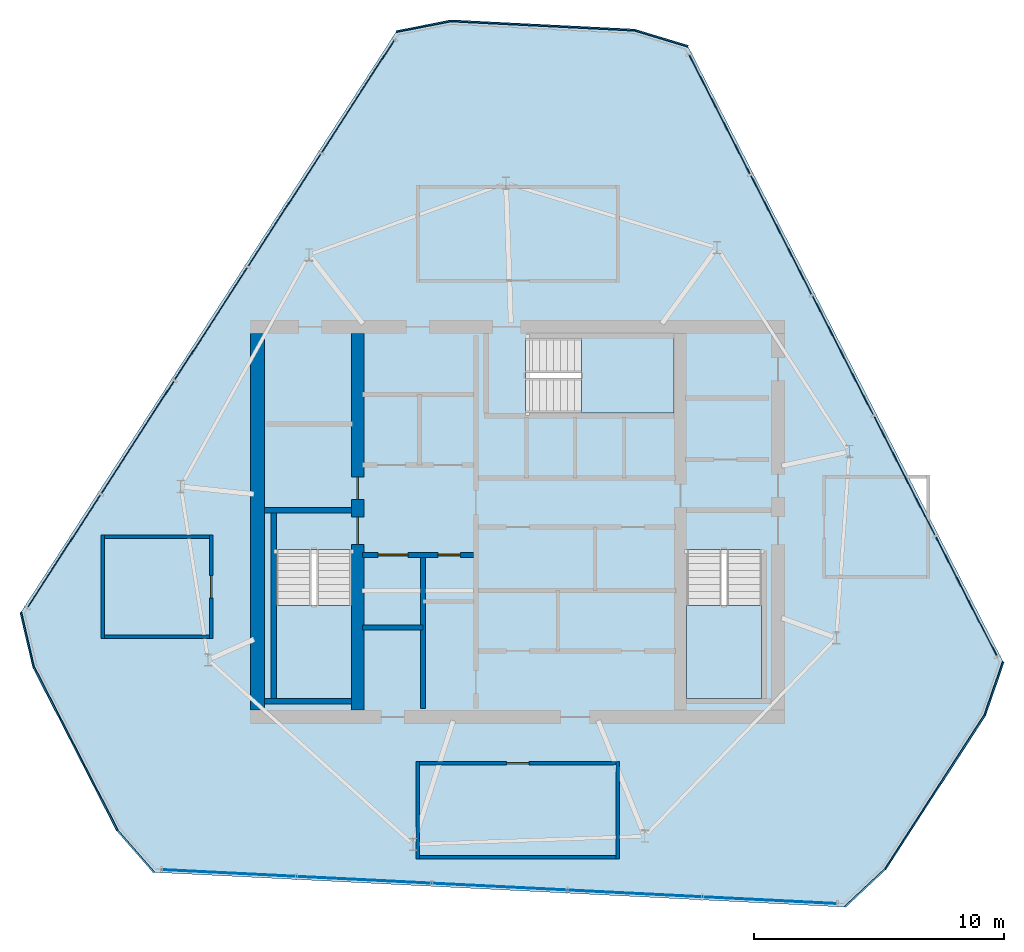
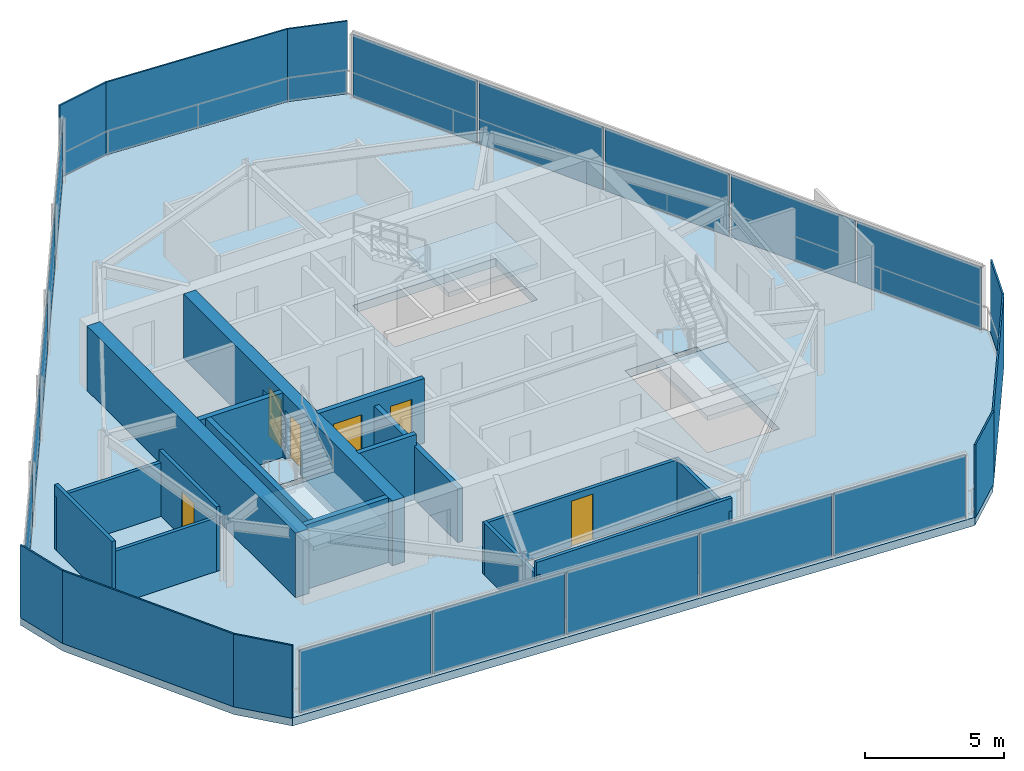
# One storey, part 13 of 16: 24 plates, 16 walls, 6 doors, 4 slabs, 6 openings, 6 elements without a shape of their own.
"""IFC4 building model written with IfcOpenShell, lengths in metres."""

from ifc_helpers import new_model, si_unit, direction, frame, frame_2d, origin, origin_2d, place, context, subcontext, project, spatial, polyline, rectangle, outline, extrude, material, layer, layer_set, type_object, element, fill, aggregate, save


model = new_model("IFC4")

# Units and contexts
model_context = context("Model", 3, precision=1e-05, world=origin(), true_north=direction((0.0, 1.0)))
body_context = subcontext(model_context, "Body", "Model", "MODEL_VIEW")
ifc_project = project(units=[si_unit("LENGTHUNIT", "METRE"), si_unit("AREAUNIT", "SQUARE_METRE"), si_unit("VOLUMEUNIT", "CUBIC_METRE"), si_unit("PLANEANGLEUNIT", "RADIAN"), si_unit("MASSUNIT", "GRAM", prefix="KILO")], contexts=[model_context])

# Site, building, storey
site_placement = place(None, origin())
site = spatial("IfcSite", under=ifc_project, at=site_placement, CompositionType="ELEMENT")
building_placement = place(site_placement, origin())
building = spatial("IfcBuilding", under=site, at=building_placement, Name="Qarnah Convention Tower", CompositionType="ELEMENT")
storey_placement = place(building_placement, frame((0.0, 0.0, 283.5)))
storey = spatial("IfcBuildingStorey", under=building, at=storey_placement, Name="L76", CompositionType="ELEMENT", Elevation=283.5)

# Curtain wall, plates
ifc_material_1 = material(Name="Tempered Low-E dark glass", Category="glass")
ifc_layer_1 = layer(ifc_material_1, 0.177978515625)
ifc_layer_set_1 = layer_set([ifc_layer_1], Name="Tempered Low-E dark glass")
curtain_wall_type = type_object("IfcCurtainWallType", Name="CWS-06", PredefinedType="NOTDEFINED", material=ifc_layer_set_1)
curtain_wall_1_placement = place(storey_placement, origin())
curtain_wall_1 = element("IfcCurtainWall", 1, at=curtain_wall_1_placement, inside=storey, type_object=curtain_wall_type, Name="L76 unitised curtain wall CW-L76-F1", PredefinedType="NOTDEFINED")
ifc_layer_2 = layer(ifc_material_1, 0.0380859375)
ifc_layer_set_2 = layer_set([ifc_layer_2], Name="Tempered Low-E dark glass")
plate_type_1 = type_object("IfcPlateType", Name="PNL-T6", PredefinedType="CURTAIN_PANEL", material=ifc_layer_set_2)
plate_1_placement = place(storey_placement, frame((45.26220703125, 42.685302734375, 0.0400390625), z_axis=(0.0, 0.0, 1.0), x_axis=(0.455858014655, -0.890052509954, 0.0)))
plate_1 = element("IfcPlate", 2, at=plate_1_placement, type_object=plate_type_1, Name="CW-L76-F1 curtain panel 1.1", PredefinedType="CURTAIN_PANEL", context=body_context, shape_type="SweptSolid", body=[
    extrude(rectangle(XDim=5.330078125, YDim=0.0380859375, at=origin_2d()), origin(), (0.0, 0.0, 1.0), 2.760009765625),
])
plate_2_placement = place(storey_placement, frame((47.728271484375, 37.8701171875, 0.0400390625), z_axis=(0.0, 0.0, 1.0), x_axis=(0.455858014655, -0.890052509954, 0.0)))
plate_2 = element("IfcPlate", 3, at=plate_2_placement, type_object=plate_type_1, Name="CW-L76-F1 curtain panel 2.1", PredefinedType="CURTAIN_PANEL", context=body_context, shape_type="SweptSolid", body=[
    extrude(rectangle(XDim=5.330078125, YDim=0.0380859375, at=origin_2d()), origin(), (0.0, 0.0, 1.0), 2.760009765625),
])
plate_3_placement = place(storey_placement, frame((50.194580078125, 33.054931640625, 0.0400390625), z_axis=(0.0, 0.0, 1.0), x_axis=(0.455858014655, -0.890052509954, 0.0)))
plate_3 = element("IfcPlate", 4, at=plate_3_placement, type_object=plate_type_1, Name="CW-L76-F1 curtain panel 3.1", PredefinedType="CURTAIN_PANEL", context=body_context, shape_type="SweptSolid", body=[
    extrude(rectangle(XDim=5.330078125, YDim=0.0380859375, at=origin_2d()), origin(), (0.0, 0.0, 1.0), 2.760009765625),
])
plate_4_placement = place(storey_placement, frame((52.66064453125, 28.23974609375, 0.0400390625), z_axis=(0.0, 0.0, 1.0), x_axis=(0.455858014655, -0.890052509954, 0.0)))
plate_4 = element("IfcPlate", 5, at=plate_4_placement, type_object=plate_type_1, Name="CW-L76-F1 curtain panel 4.1", PredefinedType="CURTAIN_PANEL", context=body_context, shape_type="SweptSolid", body=[
    extrude(rectangle(XDim=5.330078125, YDim=0.0380859375, at=origin_2d()), origin(), (0.0, 0.0, 1.0), 2.760009765625),
])
plate_5_placement = place(storey_placement, frame((55.126953125, 23.424560546875, 0.0400390625), z_axis=(0.0, 0.0, 1.0), x_axis=(0.455858014655, -0.890052509954, 0.0)))
plate_5 = element("IfcPlate", 6, at=plate_5_placement, type_object=plate_type_1, Name="CW-L76-F1 curtain panel 5.1", PredefinedType="CURTAIN_PANEL", context=body_context, shape_type="SweptSolid", body=[
    extrude(rectangle(XDim=5.330078125, YDim=0.0380859375, at=origin_2d()), origin(), (0.0, 0.0, 1.0), 2.760009765625),
])
aggregate(curtain_wall_1, [plate_1, plate_2, plate_3, plate_4, plate_5])

curtain_wall_2_placement = place(storey_placement, origin())
curtain_wall_2 = element("IfcCurtainWall", 7, at=curtain_wall_2_placement, inside=storey, type_object=curtain_wall_type, Name="L76 unitised curtain wall CW-L76-F2", PredefinedType="NOTDEFINED")
plate_6_placement = place(storey_placement, frame((47.2724609375, 11.27490234375, 0.0400390625), z_axis=(0.0, 0.0, 1.0), x_axis=(-0.99873708025, 0.050241860374, 0.0)))
plate_6 = element("IfcPlate", 8, at=plate_6_placement, type_object=plate_type_1, Name="CW-L76-F2 curtain panel 1.1", PredefinedType="CURTAIN_PANEL", context=body_context, shape_type="SweptSolid", body=[
    extrude(rectangle(XDim=5.329833984375, YDim=0.0380859375, at=origin_2d()), origin(), (0.0, 0.0, 1.0), 2.760009765625),
])
plate_7_placement = place(storey_placement, frame((41.869384765625, 11.546630859375, 0.0400390625), z_axis=(0.0, 0.0, 1.0), x_axis=(-0.99873708025, 0.050241860374, 0.0)))
plate_7 = element("IfcPlate", 9, at=plate_7_placement, type_object=plate_type_1, Name="CW-L76-F2 curtain panel 2.1", PredefinedType="CURTAIN_PANEL", context=body_context, shape_type="SweptSolid", body=[
    extrude(rectangle(XDim=5.329833984375, YDim=0.0380859375, at=origin_2d()), origin(), (0.0, 0.0, 1.0), 2.760009765625),
])
plate_8_placement = place(storey_placement, frame((36.466552734375, 11.818603515625, 0.0400390625), z_axis=(0.0, 0.0, 1.0), x_axis=(-0.99873708025, 0.050241860374, 0.0)))
plate_8 = element("IfcPlate", 10, at=plate_8_placement, type_object=plate_type_1, Name="CW-L76-F2 curtain panel 3.1", PredefinedType="CURTAIN_PANEL", context=body_context, shape_type="SweptSolid", body=[
    extrude(rectangle(XDim=5.329833984375, YDim=0.0380859375, at=origin_2d()), origin(), (0.0, 0.0, 1.0), 2.760009765625),
])
plate_9_placement = place(storey_placement, frame((31.0634765625, 12.09033203125, 0.0400390625), z_axis=(0.0, 0.0, 1.0), x_axis=(-0.99873708025, 0.050241860374, 0.0)))
plate_9 = element("IfcPlate", 11, at=plate_9_placement, type_object=plate_type_1, Name="CW-L76-F2 curtain panel 4.1", PredefinedType="CURTAIN_PANEL", context=body_context, shape_type="SweptSolid", body=[
    extrude(rectangle(XDim=5.329833984375, YDim=0.0380859375, at=origin_2d()), origin(), (0.0, 0.0, 1.0), 2.760009765625),
])
plate_10_placement = place(storey_placement, frame((25.660400390625, 12.362060546875, 0.0400390625), z_axis=(0.0, 0.0, 1.0), x_axis=(-0.99873708025, 0.050241860374, 0.0)))
plate_10 = element("IfcPlate", 12, at=plate_10_placement, type_object=plate_type_1, Name="CW-L76-F2 curtain panel 5.1", PredefinedType="CURTAIN_PANEL", context=body_context, shape_type="SweptSolid", body=[
    extrude(rectangle(XDim=5.329833984375, YDim=0.0380859375, at=origin_2d()), origin(), (0.0, 0.0, 1.0), 2.760009765625),
])
aggregate(curtain_wall_2, [plate_6, plate_7, plate_8, plate_9, plate_10])

curtain_wall_3_placement = place(storey_placement, origin())
curtain_wall_3 = element("IfcCurtainWall", 13, at=curtain_wall_3_placement, inside=storey, type_object=curtain_wall_type, Name="L76 unitised curtain wall CW-L76-F3", PredefinedType="NOTDEFINED")
plate_11_placement = place(storey_placement, frame((19.0654296875, 25.239501953125, 0.0400390625), z_axis=(0.0, 0.0, 1.0), x_axis=(0.542871059337, 0.839816058988, 0.0)))
plate_11 = element("IfcPlate", 14, at=plate_11_placement, type_object=plate_type_1, Name="CW-L76-F3 curtain panel 1.1", PredefinedType="CURTAIN_PANEL", context=body_context, shape_type="SweptSolid", body=[
    extrude(rectangle(XDim=5.329833984375, YDim=0.0380859375, at=origin_2d()), origin(), (0.0, 0.0, 1.0), 2.760009765625),
])
plate_12_placement = place(storey_placement, frame((22.002197265625, 29.78271484375, 0.0400390625), z_axis=(0.0, 0.0, 1.0), x_axis=(0.542871059337, 0.839816058988, 0.0)))
plate_12 = element("IfcPlate", 15, at=plate_12_placement, type_object=plate_type_1, Name="CW-L76-F3 curtain panel 2.1", PredefinedType="CURTAIN_PANEL", context=body_context, shape_type="SweptSolid", body=[
    extrude(rectangle(XDim=5.329833984375, YDim=0.0380859375, at=origin_2d()), origin(), (0.0, 0.0, 1.0), 2.760009765625),
])
plate_13_placement = place(storey_placement, frame((24.93896484375, 34.325927734375, 0.0400390625), z_axis=(0.0, 0.0, 1.0), x_axis=(0.542871059337, 0.839816058988, 0.0)))
plate_13 = element("IfcPlate", 16, at=plate_13_placement, type_object=plate_type_1, Name="CW-L76-F3 curtain panel 3.1", PredefinedType="CURTAIN_PANEL", context=body_context, shape_type="SweptSolid", body=[
    extrude(rectangle(XDim=5.329833984375, YDim=0.0380859375, at=origin_2d()), origin(), (0.0, 0.0, 1.0), 2.760009765625),
])
plate_14_placement = place(storey_placement, frame((27.875732421875, 38.869140625, 0.0400390625), z_axis=(0.0, 0.0, 1.0), x_axis=(0.542871059337, 0.839816058988, 0.0)))
plate_14 = element("IfcPlate", 17, at=plate_14_placement, type_object=plate_type_1, Name="CW-L76-F3 curtain panel 4.1", PredefinedType="CURTAIN_PANEL", context=body_context, shape_type="SweptSolid", body=[
    extrude(rectangle(XDim=5.329833984375, YDim=0.0380859375, at=origin_2d()), origin(), (0.0, 0.0, 1.0), 2.760009765625),
])
plate_15_placement = place(storey_placement, frame((30.8125, 43.412353515625, 0.0400390625), z_axis=(0.0, 0.0, 1.0), x_axis=(0.542871059337, 0.839816058988, 0.0)))
plate_15 = element("IfcPlate", 18, at=plate_15_placement, type_object=plate_type_1, Name="CW-L76-F3 curtain panel 5.1", PredefinedType="CURTAIN_PANEL", context=body_context, shape_type="SweptSolid", body=[
    extrude(rectangle(XDim=5.329833984375, YDim=0.0380859375, at=origin_2d()), origin(), (0.0, 0.0, 1.0), 2.760009765625),
])
aggregate(curtain_wall_3, [plate_11, plate_12, plate_13, plate_14, plate_15])

# Plates
ifc_material_2 = material(Name="Black anodised aluminium", Category="aluminium")
ifc_layer_3 = layer(ifc_material_2, 0.06494140625)
ifc_layer_set_3 = layer_set([ifc_layer_3], Name="Black anodised aluminium")
plate_type_2 = type_object("IfcPlateType", Name="SCR-CRN-30", PredefinedType="USERDEFINED", material=ifc_layer_set_3)
plate_16_placement = place(storey_placement, frame((38.197998046875, 46.24609375, 0.0), z_axis=(0.0, 0.0, 1.0), x_axis=(0.998737044297, -0.050242575055, 0.0)))
element("IfcPlate", 19, at=plate_16_placement, inside=storey, type_object=plate_type_2, Name="L76 crown acoustic louver screen 1", ObjectType="SCREEN", PredefinedType="USERDEFINED", context=body_context, shape_type="SweptSolid", body=[
    extrude(rectangle(XDim=7.343994140625, YDim=0.06494140625, at=origin_2d()), origin(), (0.0, 0.0, 1.0), 3.199951171875),
])
for number, where, z_axis, x_axis, name in (
    (20, (42.93310546875, 45.738037109375, 0.0), (0.0, 0.0, 1.0), (0.956944895395, -0.290269645635, 0.0), "L76 crown acoustic louver screen 2"),
    (21, (56.242919921875, 19.7509765625, 0.0), (0.0, 0.0, 1.0), (-0.32388769589, -0.946095534526, 0.0), "L76 crown acoustic louver screen 4"),
):
    element("IfcPlate", number, at=place(storey_placement, frame(where, z_axis=z_axis, x_axis=x_axis)), inside=storey, type_object=plate_type_2, Name=name, ObjectType="SCREEN", PredefinedType="USERDEFINED", context=body_context, shape_type="SweptSolid", body=[
        extrude(rectangle(XDim=2.22900390625, YDim=0.06494140625, at=origin_2d()), origin(), (0.0, 0.0, 1.0), 3.199951171875),
    ])
plate_17_placement = place(storey_placement, frame((53.887939453125, 15.612060546875, 0.0), z_axis=(0.0, 0.0, 1.0), x_axis=(-0.542862279432, -0.8398217344, 0.0)))
element("IfcPlate", 22, at=plate_17_placement, inside=storey, type_object=plate_type_2, Name="L76 crown acoustic louver screen 5", ObjectType="SCREEN", PredefinedType="USERDEFINED", context=body_context, shape_type="SweptSolid", body=[
    extrude(rectangle(XDim=7.343994140625, YDim=0.06494140625, at=origin_2d()), origin(), (0.0, 0.0, 1.0), 3.199951171875),
])
plate_18_placement = place(storey_placement, frame((51.08203125, 11.76611328125, 0.0), z_axis=(0.0, 0.0, 1.0), x_axis=(-0.729830665204, -0.683627969094, 0.0)))
element("IfcPlate", 23, at=plate_18_placement, inside=storey, type_object=plate_type_2, Name="L76 crown acoustic louver screen 6", ObjectType="SCREEN", PredefinedType="USERDEFINED", context=body_context, shape_type="SweptSolid", body=[
    extrude(rectangle(XDim=2.22900390625, YDim=0.06494140625, at=origin_2d()), origin(), (0.0, 0.0, 1.0), 3.199951171875),
])
plate_19_placement = place(storey_placement, frame((21.919921875, 13.23291015625, 0.0), z_axis=(0.0, 0.0, 1.0), x_axis=(-0.657488346984, 0.753464712896, 0.0)))
element("IfcPlate", 24, at=plate_19_placement, inside=storey, type_object=plate_type_2, Name="L76 crown acoustic louver screen 8", ObjectType="SCREEN", PredefinedType="USERDEFINED", context=body_context, shape_type="SweptSolid", body=[
    extrude(rectangle(XDim=2.22998046875, YDim=0.06494140625, at=origin_2d()), origin(), (0.0, 0.0, 1.0), 3.199951171875),
])
plate_20_placement = place(storey_placement, frame((19.512939453125, 17.342041015625, 0.0), z_axis=(0.0, 0.0, 1.0), x_axis=(-0.455852515487, 0.89005532644, 0.0)))
element("IfcPlate", 25, at=plate_20_placement, inside=storey, type_object=plate_type_2, Name="L76 crown acoustic louver screen 9", ObjectType="SCREEN", PredefinedType="USERDEFINED", context=body_context, shape_type="SweptSolid", body=[
    extrude(rectangle(XDim=7.343994140625, YDim=0.06494140625, at=origin_2d()), origin(), (0.0, 0.0, 1.0), 3.199951171875),
])
plate_21_placement = place(storey_placement, frame((17.5859375, 21.696044921875, 0.0), z_axis=(0.0, 0.0, 1.0), x_axis=(-0.226987875828, 0.973897584054, 0.0)))
element("IfcPlate", 26, at=plate_21_placement, inside=storey, type_object=plate_type_2, Name="L76 crown acoustic louver screen 10", ObjectType="SCREEN", PredefinedType="USERDEFINED", context=body_context, shape_type="SweptSolid", body=[
    extrude(rectangle(XDim=2.22900390625, YDim=0.06494140625, at=origin_2d()), origin(), (0.0, 0.0, 1.0), 3.199951171875),
])
plate_22_placement = place(storey_placement, frame((33.43701171875, 46.216064453125, 0.0), z_axis=(0.0, 0.0, 1.0), x_axis=(0.981230786776, 0.192837089491, 0.0)))
element("IfcPlate", 27, at=plate_22_placement, inside=storey, type_object=plate_type_2, Name="L76 crown acoustic louver screen 12", ObjectType="SCREEN", PredefinedType="USERDEFINED", context=body_context, shape_type="SweptSolid", body=[
    extrude(rectangle(XDim=2.22998046875, YDim=0.06494140625, at=origin_2d()), origin(), (0.0, 0.0, 1.0), 3.199951171875),
])

# Stair, slab
ifc_material_3 = material(Name="Concrete C50/60", Category="concrete")
stair_type = type_object("IfcStairType", Name="STR-CRN", PredefinedType="HALF_TURN_STAIR", material=ifc_material_3)
stair_1_placement = place(storey_placement, origin())
stair_1 = element("IfcStair", 28, at=stair_1_placement, inside=storey, type_object=stair_type, Name="L76 Core exit stair ST-1", PredefinedType="HALF_TURN_STAIR")
ifc_layer_4 = layer(ifc_material_3, 0.199951171875)
ifc_layer_set_4 = layer_set([ifc_layer_4], Name="Concrete C50/60")
slab_type_1 = type_object("IfcSlabType", Name="SLB-LANDING-200", PredefinedType="LANDING", material=ifc_layer_set_4)
slab_1_placement = place(storey_placement, frame((0.0, 0.0, 1.39990234375)))
slab_1 = element("IfcSlab", 29, at=slab_1_placement, type_object=slab_type_1, Name="ST-1 landing 1", PredefinedType="LANDING", context=body_context, shape_type="SweptSolid", body=[
    extrude(outline(polyline([(27.550048828125, 23.06005859375), (27.550048828125, 19.35009765625), (30.550048828125, 19.35009765625), (30.550048828125, 23.06005859375), (27.550048828125, 23.06005859375)])), origin(), (0.0, 0.0, 1.0), 0.2001953125),
])
aggregate(stair_1, [slab_1])

stair_2_placement = place(storey_placement, origin())
stair_2 = element("IfcStair", 30, at=stair_2_placement, inside=storey, type_object=stair_type, Name="L76 Core exit stair ST-2", PredefinedType="HALF_TURN_STAIR")
slab_2_placement = place(storey_placement, frame((0.0, 0.0, 1.39990234375)))
slab_2 = element("IfcSlab", 31, at=slab_2_placement, type_object=slab_type_1, Name="ST-2 landing 1", PredefinedType="LANDING", context=body_context, shape_type="SweptSolid", body=[
    extrude(outline(polyline([(43.949951171875, 23.06005859375), (43.949951171875, 19.35009765625), (46.949951171875, 19.35009765625), (46.949951171875, 23.06005859375), (43.949951171875, 23.06005859375)])), origin(), (0.0, 0.0, 1.0), 0.2001953125),
])
aggregate(stair_2, [slab_2])

stair_3_placement = place(storey_placement, origin())
stair_3 = element("IfcStair", 32, at=stair_3_placement, inside=storey, type_object=stair_type, Name="L76 Core exit stair ST-3", PredefinedType="HALF_TURN_STAIR")
slab_3_placement = place(storey_placement, frame((0.0, 0.0, 1.39990234375)))
slab_3 = element("IfcSlab", 33, at=slab_3_placement, type_object=slab_type_1, Name="ST-3 landing 1", PredefinedType="LANDING", context=body_context, shape_type="SweptSolid", body=[
    extrude(outline(polyline([(39.739990234375, 30.75), (43.449951171875, 30.75), (43.449951171875, 33.75), (39.739990234375, 33.75), (39.739990234375, 30.75)])), origin(), (0.0, 0.0, 1.0), 0.2001953125),
])
aggregate(stair_3, [slab_3])

# Slab
ifc_material_4 = material(Name="Concrete C45/55", Category="concrete")
ifc_layer_5 = layer(ifc_material_4, 0.280029296875)
ifc_layer_set_5 = layer_set([ifc_layer_5], Name="Concrete C45/55")
slab_type_2 = type_object("IfcSlabType", Name="SLB-TWR-280", PredefinedType="FLOOR", material=ifc_layer_set_5)
slab_4_placement = place(storey_placement, frame((0.0, 0.0, -0.360107421875)))
element("IfcSlab", 34, at=slab_4_placement, inside=storey, type_object=slab_type_2, Name="L76 structural floor slab", PredefinedType="FLOOR", context=body_context, shape_type="SweptSolid", body=[
    extrude(outline(polyline([(32.343017578125, 46.0009765625), (17.3330078125, 22.781005859375), (17.839111328125, 20.610107421875), (21.18701171875, 14.072998046875), (22.653076171875, 12.39306640625), (50.26806640625, 11.00390625), (51.89501953125, 12.528076171875), (55.882080078125, 18.696044921875), (56.60400390625, 20.804931640625), (43.9990234375, 45.4150390625), (41.865966796875, 46.06201171875), (34.531005859375, 46.430908203125), (32.343017578125, 46.0009765625)]), holes=[polyline([(27.550048828125, 25.300048828125), (27.550048828125, 19.35009765625), (30.550048828125, 19.35009765625), (30.550048828125, 25.300048828125), (27.550048828125, 25.300048828125)]), polyline([(43.949951171875, 25.300048828125), (43.949951171875, 19.35009765625), (46.949951171875, 19.35009765625), (46.949951171875, 25.300048828125), (43.949951171875, 25.300048828125)]), polyline([(37.5, 30.75), (43.449951171875, 30.75), (43.449951171875, 33.75), (37.5, 33.75), (37.5, 30.75)])]), origin(), (0.0, 0.0, 1.0), 0.360107421875),
])

# Wall
ifc_material_5 = material(Name="Concrete C60/75", Category="concrete")
ifc_layer_6 = layer(ifc_material_5, 0.550048828125)
ifc_layer_set_6 = layer_set([ifc_layer_6], Name="Concrete C60/75")
wall_type_1 = type_object("IfcWallType", Name="WL-CORE-550", PredefinedType="SHEAR", material=ifc_layer_set_6)
wall_1_placement = place(storey_placement, frame((26.800048828125, 18.875, 0.0), z_axis=(0.0, 0.0, 1.0), x_axis=(0.0, 1.0, 0.0)))
element("IfcWall", 35, at=wall_1_placement, inside=storey, type_object=wall_type_1, Name="L76 core west shear wall", PredefinedType="SHEAR", context=body_context, shape_type="SweptSolid", body=[
    extrude(rectangle(XDim=15.050048828125, YDim=0.550048828125, at=frame_2d((7.52490234375, 0.0))), origin(), (0.0, 0.0, 1.0), 2.840087890625),
])

# Wall, openings, doors
ifc_layer_7 = layer(ifc_material_5, 0.5)
ifc_layer_set_7 = layer_set([ifc_layer_7], Name="Concrete C60/75")
wall_type_2 = type_object("IfcWallType", Name="WL-CORE-INT-400", PredefinedType="SHEAR", material=ifc_layer_set_7)
wall_2_placement = place(storey_placement, frame((30.800048828125, 18.875, 0.0), z_axis=(0.0, 0.0, 1.0), x_axis=(0.0, 1.0, 0.0)))
wall_2 = element("IfcWall", 36, at=wall_2_placement, inside=storey, type_object=wall_type_2, Name="L76 core west spine shear wall", PredefinedType="SHEAR", context=body_context, shape_type="SweptSolid", body=[
    extrude(rectangle(XDim=15.050048828125, YDim=0.5, at=frame_2d((7.52490234375, 0.0))), origin(), (0.0, 0.0, 1.0), 2.840087890625),
])
opening_1_placement = place(wall_2_placement, frame((6.625, 0.0, 0.0)))
opening_1 = element("IfcOpeningElement", 37, at=opening_1_placement, cuts=wall_2, Name="Opening D-7601", PredefinedType="OPENING", context=body_context, shape_type="SweptSolid", body=[
    extrude(rectangle(XDim=1.10009765625, YDim=2.14990234375, at=frame_2d((0.550048828125, 1.074951171875))), frame((0.0, 0.260009765625, 0.0), z_axis=(0.0, -1.0, 0.0), x_axis=(1.0, 0.0, 0.0)), (0.0, 0.0, 1.0), 0.52001953125),
])
opening_2_placement = place(wall_2_placement, frame((8.425048828125, 0.0, 0.0)))
opening_2 = element("IfcOpeningElement", 38, at=opening_2_placement, cuts=wall_2, Name="Opening D-7608", PredefinedType="OPENING", context=body_context, shape_type="SweptSolid", body=[
    extrude(rectangle(XDim=0.89990234375, YDim=2.10009765625, at=frame_2d((0.449951171875, 1.050048828125))), frame((0.0, 0.260009765625, 0.0), z_axis=(0.0, -1.0, 0.0), x_axis=(1.0, 0.0, 0.0)), (0.0, 0.0, 1.0), 0.52001953125),
])
ifc_material_6 = material(Name="Structural steel S355JR", Category="steel")
door_type_1 = type_object("IfcDoorType", Name="DT-RISER-900", OperationType="NOTDEFINED", PredefinedType="DOOR", material=ifc_material_6)
door_1_placement = place(opening_2_placement, origin())
door_1 = element("IfcDoor", 39, at=door_1_placement, inside=storey, type_object=door_type_1, Name="Door D-7608", OperationType="SINGLE_SWING_LEFT", OverallHeight=2.10009765625, OverallWidth=0.89990234375, PredefinedType="DOOR", context=body_context, shape_type="SweptSolid", body=[
    extrude(rectangle(XDim=0.89990234375, YDim=2.10009765625, at=frame_2d((0.449951171875, 1.050048828125))), frame((0.0, 0.02490234375, 0.0), z_axis=(0.0, -1.0, 0.0), x_axis=(1.0, 0.0, 0.0)), (0.0, 0.0, 1.0), 0.050048828125),
])
fill(opening_2, door_1)
door_type_2 = type_object("IfcDoorType", Name="DT-STAIR-1100", OperationType="NOTDEFINED", PredefinedType="DOOR", material=ifc_material_6)
door_2_placement = place(opening_1_placement, origin())
door_2 = element("IfcDoor", 40, at=door_2_placement, inside=storey, type_object=door_type_2, Name="Door D-7601", OperationType="SINGLE_SWING_RIGHT", OverallHeight=2.14990234375, OverallWidth=1.10009765625, PredefinedType="DOOR", context=body_context, shape_type="SweptSolid", body=[
    extrude(rectangle(XDim=1.10009765625, YDim=2.14990234375, at=frame_2d((0.550048828125, 1.074951171875))), frame((0.0, 0.02490234375, 0.0), z_axis=(0.0, -1.0, 0.0), x_axis=(1.0, 0.0, 0.0)), (0.0, 0.0, 1.0), 0.050048828125),
])
fill(opening_1, door_2)

ifc_layer_8 = layer(ifc_material_4, 0.199951171875)
ifc_layer_set_8 = layer_set([ifc_layer_8], Name="Concrete C45/55")
wall_type_3 = type_object("IfcWallType", Name="WL-CORE-PART-200", PredefinedType="SOLIDWALL", material=ifc_layer_set_8)
wall_3_placement = place(storey_placement, frame((31.0, 25.080078125, 0.0), z_axis=(0.0, 0.0, 1.0), x_axis=(1.0, 0.0, 0.0)))
wall_3 = element("IfcWall", 41, at=wall_3_placement, inside=storey, type_object=wall_type_3, Name="L76 interior wall IW-L76-FFLBS", PredefinedType="SOLIDWALL", context=body_context, shape_type="SweptSolid", body=[
    extrude(rectangle(XDim=4.419921875, YDim=0.199951171875, at=frame_2d((2.2099609375, 0.0))), origin(), (0.0, 0.0, 1.0), 2.840087890625),
])
opening_3_placement = place(wall_3_placement, frame((3.0, 0.0, 0.0)))
opening_3 = element("IfcOpeningElement", 42, at=opening_3_placement, cuts=wall_3, Name="Opening D-7615", PredefinedType="OPENING", context=body_context, shape_type="SweptSolid", body=[
    extrude(rectangle(XDim=0.89990234375, YDim=2.10009765625, at=frame_2d((0.449951171875, 1.050048828125))), frame((0.0, 0.10986328125, 0.0), z_axis=(0.0, -1.0, 0.0), x_axis=(1.0, 0.0, 0.0)), (0.0, 0.0, 1.0), 0.219970703125),
])
opening_4_placement = place(wall_3_placement, frame((0.6201171875, 0.0, 0.0)))
opening_4 = element("IfcOpeningElement", 43, at=opening_4_placement, cuts=wall_3, Name="Opening LD-7603", PredefinedType="OPENING", context=body_context, shape_type="SweptSolid", body=[
    extrude(rectangle(XDim=1.199951171875, YDim=2.14990234375, at=frame_2d((0.60009765625, 1.074951171875))), frame((0.0, 0.10986328125, 0.0), z_axis=(0.0, -1.0, 0.0), x_axis=(1.0, 0.0, 0.0)), (0.0, 0.0, 1.0), 0.219970703125),
])
door_type_3 = type_object("IfcDoorType", Name="DT-LIFT-1200", OperationType="SLIDING_TO_LEFT", PredefinedType="DOOR", material=ifc_material_6)
door_3_placement = place(opening_4_placement, origin())
door_3 = element("IfcDoor", 44, at=door_3_placement, inside=storey, type_object=door_type_3, Name="Door LD-7603", OperationType="SLIDING_TO_LEFT", OverallHeight=2.14990234375, OverallWidth=1.199951171875, PredefinedType="DOOR", context=body_context, shape_type="SweptSolid", body=[
    extrude(rectangle(XDim=1.199951171875, YDim=2.14990234375, at=frame_2d((0.60009765625, 1.074951171875))), frame((0.0, 0.02490234375, 0.0), z_axis=(0.0, -1.0, 0.0), x_axis=(1.0, 0.0, 0.0)), (0.0, 0.0, 1.0), 0.050048828125),
])
fill(opening_4, door_3)
door_4_placement = place(opening_3_placement, origin())
door_4 = element("IfcDoor", 45, at=door_4_placement, inside=storey, type_object=door_type_1, Name="Door D-7615", OperationType="SINGLE_SWING_RIGHT", OverallHeight=2.10009765625, OverallWidth=0.89990234375, PredefinedType="DOOR", context=body_context, shape_type="SweptSolid", body=[
    extrude(rectangle(XDim=0.89990234375, YDim=2.10009765625, at=frame_2d((0.449951171875, 1.050048828125))), frame((0.0, 0.02490234375, 0.0), z_axis=(0.0, -1.0, 0.0), x_axis=(1.0, 0.0, 0.0)), (0.0, 0.0, 1.0), 0.050048828125),
])
fill(opening_3, door_4)

# Walls
wall_4_placement = place(storey_placement, frame((33.419921875, 18.949951171875, 0.0), z_axis=(0.0, 0.0, 1.0), x_axis=(0.0, 1.0, 0.0)))
element("IfcWall", 46, at=wall_4_placement, inside=storey, type_object=wall_type_3, Name="L76 interior wall IW-L76-SVLE", PredefinedType="SOLIDWALL", context=body_context, shape_type="SweptSolid", body=[
    extrude(rectangle(XDim=6.130126953125, YDim=0.199951171875, at=frame_2d((3.06494140625, 0.0))), origin(), (0.0, 0.0, 1.0), 2.361083984375),
])
wall_5_placement = place(storey_placement, frame((31.0, 22.179931640625, 0.0), z_axis=(0.0, 0.0, 1.0), x_axis=(1.0, 0.0, 0.0)))
element("IfcWall", 47, at=wall_5_placement, inside=storey, type_object=wall_type_3, Name="L76 interior wall IW-L76-SVLS", PredefinedType="SOLIDWALL", context=body_context, shape_type="SweptSolid", body=[
    extrude(rectangle(XDim=2.419921875, YDim=0.199951171875, at=frame_2d((1.2099609375, 0.0))), origin(), (0.0, 0.0, 1.0), 2.840087890625),
])
ifc_layer_9 = layer(ifc_material_5, 0.219970703125)
ifc_layer_set_9 = layer_set([ifc_layer_9], Name="Concrete C60/75")
wall_type_4 = type_object("IfcWallType", Name="WL-CORE-STAIR-220", PredefinedType="SHEAR", material=ifc_layer_set_9)
wall_6_placement = place(storey_placement, frame((27.074951171875, 26.860107421875, 0.0), z_axis=(0.0, 0.0, 1.0), x_axis=(1.0, 0.0, 0.0)))
element("IfcWall", 48, at=wall_6_placement, inside=storey, type_object=wall_type_4, Name="L76 stair shaft shear wall SW-L76-ST1N", PredefinedType="SHEAR", context=body_context, shape_type="SweptSolid", body=[
    extrude(rectangle(XDim=3.47509765625, YDim=0.219970703125, at=frame_2d((1.737548828125, 0.0))), origin(), (0.0, 0.0, 1.0), 2.840087890625),
])
wall_7_placement = place(storey_placement, frame((27.43994140625, 19.35009765625, 0.0), z_axis=(0.0, 0.0, 1.0), x_axis=(0.0, 1.0, 0.0)))
element("IfcWall", 49, at=wall_7_placement, inside=storey, type_object=wall_type_4, Name="L76 stair shaft shear wall SW-L76-ST1W", PredefinedType="SHEAR", context=body_context, shape_type="SweptSolid", body=[
    extrude(rectangle(XDim=7.39990234375, YDim=0.219970703125, at=frame_2d((3.699951171875, 0.0))), origin(), (0.0, 0.0, 1.0), 2.840087890625),
])
wall_8_placement = place(storey_placement, frame((27.074951171875, 19.239990234375, 0.0), z_axis=(0.0, 0.0, 1.0), x_axis=(1.0, 0.0, 0.0)))
element("IfcWall", 50, at=wall_8_placement, inside=storey, type_object=wall_type_4, Name="L76 stair shaft shear wall SW-L76-ST1S", PredefinedType="SHEAR", context=body_context, shape_type="SweptSolid", body=[
    extrude(rectangle(XDim=3.47509765625, YDim=0.219970703125, at=frame_2d((1.737548828125, 0.0))), origin(), (0.0, 0.0, 1.0), 2.840087890625),
])
ifc_material_7 = material(Name="Gypsum partition board")
ifc_layer_10 = layer(ifc_material_7, 0.139892578125)
ifc_layer_set_10 = layer_set([ifc_layer_10], Name="Gypsum partition board")
wall_type_5 = type_object("IfcWallType", Name="WL-WET-140", PredefinedType="PARTITIONING", material=ifc_layer_set_10)
wall_9_placement = place(storey_placement, frame((20.530029296875, 21.800048828125, 0.0), z_axis=(0.0, 0.0, 1.0), x_axis=(1.0, 0.0, 0.0)))
element("IfcWall", 51, at=wall_9_placement, inside=storey, type_object=wall_type_5, Name="L76 interior wall IW-L76-DMPR-1", PredefinedType="PARTITIONING", context=body_context, shape_type="SweptSolid", body=[
    extrude(rectangle(XDim=4.489990234375, YDim=0.139892578125, at=frame_2d((2.2451171875, 0.0))), origin(), (0.0, 0.0, 1.0), 2.364990234375),
])

# Wall, opening, door
wall_10_placement = place(storey_placement, frame((24.949951171875, 21.72998046875, 0.0), z_axis=(0.0, 0.0, 1.0), x_axis=(0.0, 1.0, 0.0)))
wall_10 = element("IfcWall", 52, at=wall_10_placement, inside=storey, type_object=wall_type_5, Name="L76 interior wall IW-L76-DMPR-2", PredefinedType="PARTITIONING", context=body_context, shape_type="SweptSolid", body=[
    extrude(rectangle(XDim=4.14013671875, YDim=0.139892578125, at=frame_2d((2.070068359375, 0.0))), origin(), (0.0, 0.0, 1.0), 2.840087890625),
])
opening_5_placement = place(wall_10_placement, frame((1.6201171875, 0.0, 0.0)))
opening_5 = element("IfcOpeningElement", 53, at=opening_5_placement, cuts=wall_10, Name="Opening D-7620", PredefinedType="OPENING", context=body_context, shape_type="SweptSolid", body=[
    extrude(rectangle(XDim=0.89990234375, YDim=2.0, at=frame_2d((0.449951171875, 1.0))), frame((0.0, 0.079833984375, 0.0), z_axis=(0.0, -1.0, 0.0), x_axis=(1.0, 0.0, 0.0)), (0.0, 0.0, 1.0), 0.159912109375),
])
door_type_4 = type_object("IfcDoorType", Name="DT-PLANT-900", OperationType="NOTDEFINED", PredefinedType="DOOR", material=ifc_material_6)
door_5_placement = place(opening_5_placement, origin())
door_5 = element("IfcDoor", 54, at=door_5_placement, inside=storey, type_object=door_type_4, Name="Door D-7620", OperationType="SINGLE_SWING_LEFT", OverallHeight=2.0, OverallWidth=0.89990234375, PredefinedType="DOOR", context=body_context, shape_type="SweptSolid", body=[
    extrude(rectangle(XDim=0.89990234375, YDim=2.0, at=frame_2d((0.449951171875, 1.0))), frame((0.0, 0.02490234375, 0.0), z_axis=(0.0, -1.0, 0.0), x_axis=(1.0, 0.0, 0.0)), (0.0, 0.0, 1.0), 0.050048828125),
])
fill(opening_5, door_5)

# Walls
wall_11_placement = place(storey_placement, frame((25.02001953125, 25.800048828125, 0.0), z_axis=(0.0, 0.0, 1.0), x_axis=(-1.0, 0.0, 0.0)))
element("IfcWall", 55, at=wall_11_placement, inside=storey, type_object=wall_type_5, Name="L76 interior wall IW-L76-DMPR-3", PredefinedType="PARTITIONING", context=body_context, shape_type="SweptSolid", body=[
    extrude(rectangle(XDim=4.489990234375, YDim=0.139892578125, at=frame_2d((2.2451171875, 0.0))), origin(), (0.0, 0.0, 1.0), 2.364990234375),
])
wall_12_placement = place(storey_placement, frame((20.60009765625, 25.8701171875, 0.0), z_axis=(0.0, 0.0, 1.0), x_axis=(0.0, -1.0, 0.0)))
element("IfcWall", 56, at=wall_12_placement, inside=storey, type_object=wall_type_5, Name="L76 interior wall IW-L76-DMPR-4", PredefinedType="PARTITIONING", context=body_context, shape_type="SweptSolid", body=[
    extrude(rectangle(XDim=4.14013671875, YDim=0.139892578125, at=frame_2d((2.070068359375, 0.0))), origin(), (0.0, 0.0, 1.0), 2.840087890625),
])
wall_13_placement = place(storey_placement, frame((33.1298828125, 13.0, 0.0), z_axis=(0.0, 0.0, 1.0), x_axis=(1.0, 0.0, 0.0)))
element("IfcWall", 57, at=wall_13_placement, inside=storey, type_object=wall_type_5, Name="L76 interior wall IW-L76-CHLP-1", PredefinedType="PARTITIONING", context=body_context, shape_type="SweptSolid", body=[
    extrude(rectangle(XDim=8.14013671875, YDim=0.139892578125, at=frame_2d((4.070068359375, 0.0))), origin(), (0.0, 0.0, 1.0), 2.840087890625),
])
wall_14_placement = place(storey_placement, frame((41.199951171875, 12.929931640625, 0.0), z_axis=(0.0, 0.0, 1.0), x_axis=(0.0, 1.0, 0.0)))
element("IfcWall", 58, at=wall_14_placement, inside=storey, type_object=wall_type_5, Name="L76 interior wall IW-L76-CHLP-2", PredefinedType="PARTITIONING", context=body_context, shape_type="SweptSolid", body=[
    extrude(rectangle(XDim=3.89013671875, YDim=0.139892578125, at=frame_2d((1.945068359375, 0.0))), origin(), (0.0, 0.0, 1.0), 2.284912109375),
])

# Wall, opening, door
wall_15_placement = place(storey_placement, frame((41.27001953125, 16.75, 0.0), z_axis=(0.0, 0.0, 1.0), x_axis=(-1.0, 0.0, 0.0)))
wall_15 = element("IfcWall", 59, at=wall_15_placement, inside=storey, type_object=wall_type_5, Name="L76 interior wall IW-L76-CHLP-3", PredefinedType="PARTITIONING", context=body_context, shape_type="SweptSolid", body=[
    extrude(rectangle(XDim=8.14013671875, YDim=0.139892578125, at=frame_2d((4.070068359375, 0.0))), origin(), (0.0, 0.0, 1.0), 2.284912109375),
])
opening_6_placement = place(wall_15_placement, frame((3.6201171875, 0.0, 0.0)))
opening_6 = element("IfcOpeningElement", 60, at=opening_6_placement, cuts=wall_15, Name="Opening D-7623", PredefinedType="OPENING", context=body_context, shape_type="SweptSolid", body=[
    extrude(rectangle(XDim=0.89990234375, YDim=2.0, at=frame_2d((0.449951171875, 1.0))), frame((0.0, 0.079833984375, 0.0), z_axis=(0.0, -1.0, 0.0), x_axis=(1.0, 0.0, 0.0)), (0.0, 0.0, 1.0), 0.159912109375),
])
door_6_placement = place(opening_6_placement, origin())
door_6 = element("IfcDoor", 61, at=door_6_placement, inside=storey, type_object=door_type_4, Name="Door D-7623", OperationType="SINGLE_SWING_RIGHT", OverallHeight=2.0, OverallWidth=0.89990234375, PredefinedType="DOOR", context=body_context, shape_type="SweptSolid", body=[
    extrude(rectangle(XDim=0.89990234375, YDim=2.0, at=frame_2d((0.449951171875, 1.0))), frame((0.0, 0.02490234375, 0.0), z_axis=(0.0, -1.0, 0.0), x_axis=(1.0, 0.0, 0.0)), (0.0, 0.0, 1.0), 0.050048828125),
])
fill(opening_6, door_6)

# Wall
wall_16_placement = place(storey_placement, frame((33.199951171875, 16.820068359375, 0.0), z_axis=(0.0, 0.0, 1.0), x_axis=(0.0, -1.0, 0.0)))
element("IfcWall", 62, at=wall_16_placement, inside=storey, type_object=wall_type_5, Name="L76 interior wall IW-L76-CHLP-4", PredefinedType="PARTITIONING", context=body_context, shape_type="SweptSolid", body=[
    extrude(rectangle(XDim=3.89013671875, YDim=0.139892578125, at=frame_2d((1.945068359375, 0.0))), origin(), (0.0, 0.0, 1.0), 2.284912109375),
])

save(model, "model.ifc")
